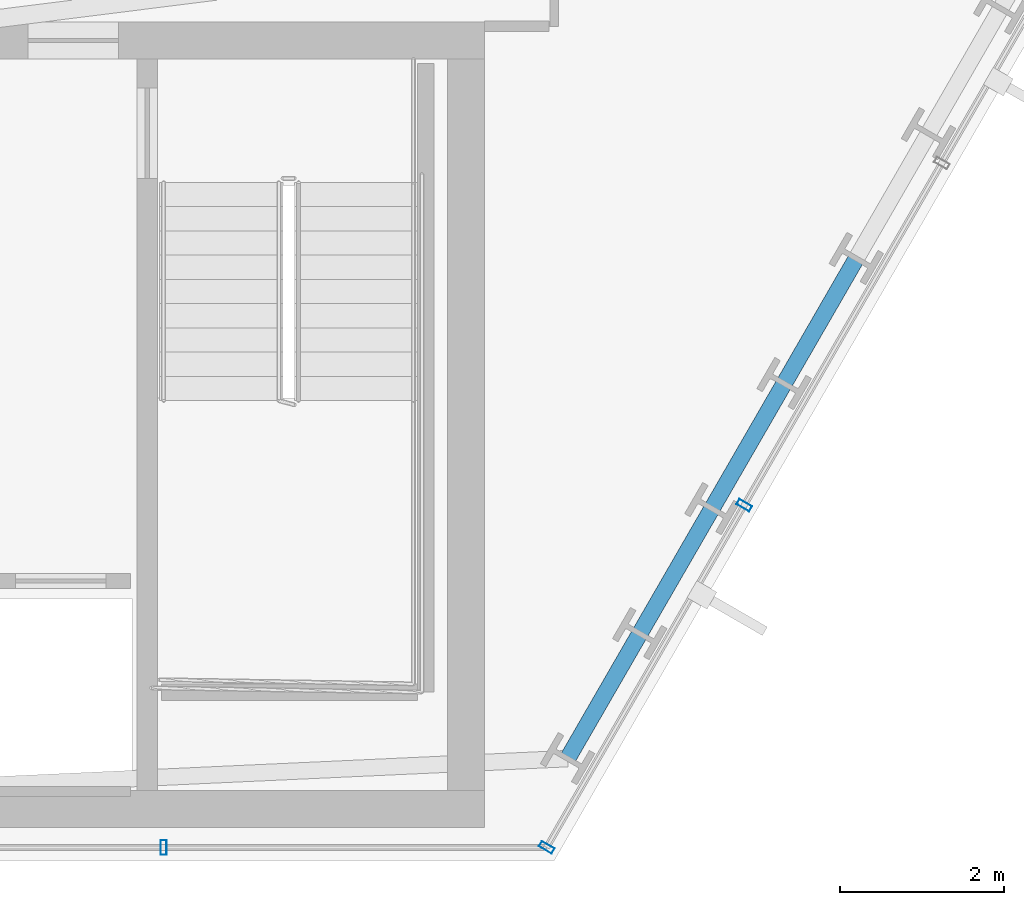
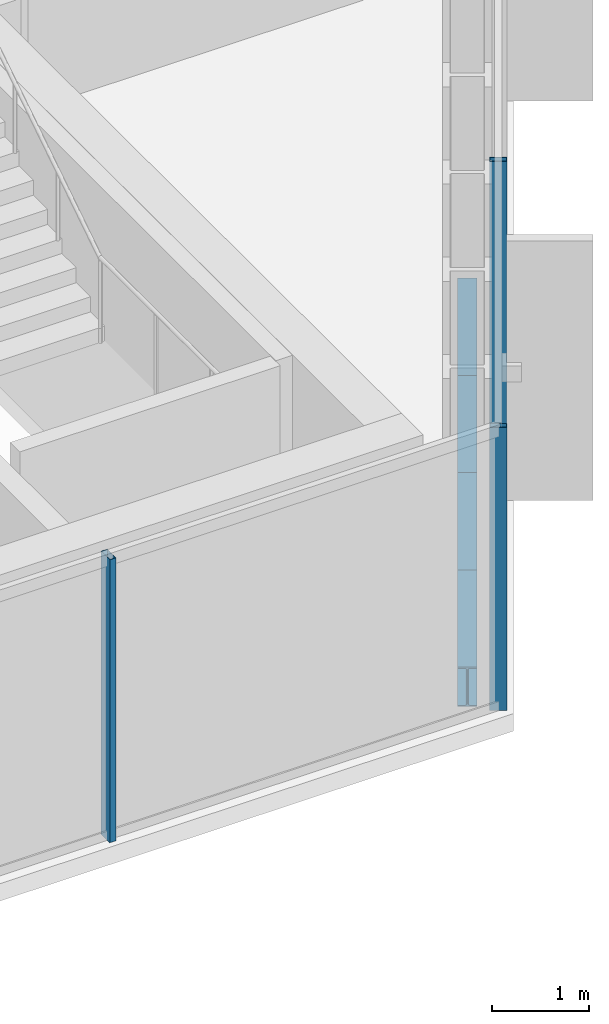
# One storey, part 16 of 33: 4 beams, 3 members, 2 elements without a shape of their own.
"""IFC4 building model written with IfcOpenShell, lengths in metres."""

from ifc_helpers import new_model, si_unit, direction, frame, origin, origin_2d, place, context, subcontext, project, spatial, hollow_rectangle, i_section, extrude, material, layer, layer_set, material_profile, profile_set, type_object, element, aggregate, save


model = new_model("IFC4")

# Units and contexts
model_context = context("Model", 3, precision=1e-05, world=origin(), true_north=direction((0.0, 1.0)))
body_context = subcontext(model_context, "Body", "Model", "MODEL_VIEW")
ifc_project = project(units=[si_unit("LENGTHUNIT", "METRE"), si_unit("AREAUNIT", "SQUARE_METRE"), si_unit("VOLUMEUNIT", "CUBIC_METRE"), si_unit("PLANEANGLEUNIT", "RADIAN"), si_unit("MASSUNIT", "GRAM", prefix="KILO")], contexts=[model_context])

# Site, building, storey
site_placement = place(None, origin())
site = spatial("IfcSite", under=ifc_project, at=site_placement, CompositionType="ELEMENT")
building_placement = place(site_placement, origin())
building = spatial("IfcBuilding", under=site, at=building_placement, Name="Ndaravel Arena Tower", CompositionType="ELEMENT")
storey_placement = place(building_placement, frame((0.0, 0.0, 85.39990234375)))
storey = spatial("IfcBuildingStorey", under=building, at=storey_placement, Name="L19", CompositionType="ELEMENT", Elevation=85.39990234375)

# Beams
ifc_material_1 = material(Name="Steel S355", Category="steel")
ifc_material_profile_1 = material_profile(ifc_material_1, i_section(OverallWidth=0.199951171875, OverallDepth=0.5, WebThickness=0.01025390625, FlangeThickness=0.01611328125, FilletRadius=0.02099609375, at=origin_2d()), Name="IPE 500")
ifc_profile_set_1 = profile_set([ifc_material_profile_1], Name="Steel S355")
beam_type = type_object("IfcBeamType", Name="BM-SPAN-IPE500", PredefinedType="SPANDREL", material=ifc_profile_set_1)
for number, where, z_axis, x_axis, name in (
    (1, (58.563232421875, 6.240478515625, -0.469970703125), (0.500011241135, 0.866018913615, 0.0), (-0.866018913615, 0.500011241135, 0.0), "L19 Perimeter Spandrel Beam SP-02"),
    (2, (59.44140625, 7.761474609375, -0.469970703125), (0.500011241135, 0.866018913615, 0.0), (-0.866018913615, 0.500011241135, 0.0), "L19 Perimeter Spandrel Beam SP-03"),
    (3, (60.319580078125, 9.282470703125, -0.469970703125), (0.500011241135, 0.866018913615, 0.0), (-0.866018913615, 0.500011241135, 0.0), "L19 Perimeter Spandrel Beam SP-04"),
):
    element("IfcBeam", number, at=place(storey_placement, frame(where, z_axis=z_axis, x_axis=x_axis)), inside=storey, type_object=beam_type, Name=name, PredefinedType="SPANDREL", context=body_context, shape_type="SweptSolid", body=[
        extrude(i_section(OverallWidth=0.199951171875, OverallDepth=0.5, WebThickness=0.01025390625, FlangeThickness=0.01611328125, FilletRadius=0.02099609375, at=origin_2d()), origin(), (0.0, 0.0, 1.0), 1.75634765625),
    ])
beam_placement = place(storey_placement, frame((61.19775390625, 10.803466796875, -0.469970703125), z_axis=(0.49990697594, 0.86607910459, 0.0), x_axis=(-0.86607910459, 0.49990697594, 0.0)))
element("IfcBeam", 4, at=beam_placement, inside=storey, type_object=beam_type, Name="L19 Perimeter Spandrel Beam SP-05", PredefinedType="SPANDREL", context=body_context, shape_type="SweptSolid", body=[
    extrude(i_section(OverallWidth=0.199951171875, OverallDepth=0.5, WebThickness=0.01025390625, FlangeThickness=0.01611328125, FilletRadius=0.02099609375, at=origin_2d()), origin(), (0.0, 0.0, 1.0), 1.756103515625),
])

# Curtain wall, member
ifc_material_2 = material(Name="Aluminium", Category="aluminium")
ifc_layer_1 = layer(ifc_material_2, 0.179931640625)
ifc_layer_set_1 = layer_set([ifc_layer_1], Name="Aluminium")
curtain_wall_type_1 = type_object("IfcCurtainWallType", Name="CW-SYS-03", PredefinedType="NOTDEFINED", material=ifc_layer_set_1)
curtain_wall_1_placement = place(storey_placement, origin())
curtain_wall_1 = element("IfcCurtainWall", 5, at=curtain_wall_1_placement, inside=storey, type_object=curtain_wall_type_1, Name="L19 Faceted Crystal Curtain Wall CW-L19-E01", PredefinedType="NOTDEFINED")
ifc_material_3 = material(Name="Aluminium", Category="aluminium")
ifc_material_profile_2 = material_profile(ifc_material_3, hollow_rectangle(XDim=0.074951171875, YDim=0.179931640625, WallThickness=0.00390625, at=origin_2d()), Name="CW MULLION 75x180x4")
ifc_profile_set_2 = profile_set([ifc_material_profile_2], Name="Aluminium")
member_type = type_object("IfcMemberType", Name="MEM-CW-MUL180", PredefinedType="MULLION", material=ifc_profile_set_2)
member_1_placement = place(storey_placement, frame((53.649169921875, 5.159912109375, 0.0), z_axis=(0.0, 0.0, 1.0), x_axis=(1.0, 0.0, 0.0)))
member_1 = element("IfcMember", 6, at=member_1_placement, type_object=member_type, Name="CW-L19-E01 Mullion 06", PredefinedType="MULLION", context=body_context, shape_type="SweptSolid", body=[
    extrude(hollow_rectangle(XDim=0.074951171875, YDim=0.179931640625, WallThickness=0.00390625, at=origin_2d()), origin(), (0.0, 0.0, 1.0), 3.580078125),
])
aggregate(curtain_wall_1, [member_1])

# Curtain wall, members
ifc_material_4 = material(Name="Aluminium", Category="aluminium")
ifc_layer_2 = layer(ifc_material_4, 0.179931640625)
ifc_layer_set_2 = layer_set([ifc_layer_2], Name="Aluminium")
curtain_wall_type_2 = type_object("IfcCurtainWallType", Name="CW-SYS-01", PredefinedType="NOTDEFINED", material=ifc_layer_set_2)
curtain_wall_2_placement = place(storey_placement, origin())
curtain_wall_2 = element("IfcCurtainWall", 7, at=curtain_wall_2_placement, inside=storey, type_object=curtain_wall_type_2, Name="L19 Faceted Crystal Curtain Wall CW-L19-E02", PredefinedType="NOTDEFINED")
member_2_placement = place(storey_placement, frame((58.308837890625, 5.159912109375, 0.0), z_axis=(0.0, 0.0, 1.0), x_axis=(0.5, 0.866025403784, 0.0)))
member_2 = element("IfcMember", 8, at=member_2_placement, type_object=member_type, Name="CW-L19-E02 Mullion 00", PredefinedType="MULLION", context=body_context, shape_type="SweptSolid", body=[
    extrude(hollow_rectangle(XDim=0.074951171875, YDim=0.179931640625, WallThickness=0.00390625, at=origin_2d()), origin(), (0.0, 0.0, 1.0), 3.580078125),
])
member_3_placement = place(storey_placement, frame((60.712158203125, 9.322509765625, 0.0), z_axis=(0.0, 0.0, 1.0), x_axis=(0.5, 0.866025403784, 0.0)))
member_3 = element("IfcMember", 9, at=member_3_placement, type_object=member_type, Name="CW-L19-E02 Mullion 01", PredefinedType="MULLION", context=body_context, shape_type="SweptSolid", body=[
    extrude(hollow_rectangle(XDim=0.074951171875, YDim=0.179931640625, WallThickness=0.00390625, at=origin_2d()), origin(), (0.0, 0.0, 1.0), 3.580078125),
])
aggregate(curtain_wall_2, [member_2, member_3])

save(model, "model.ifc")
